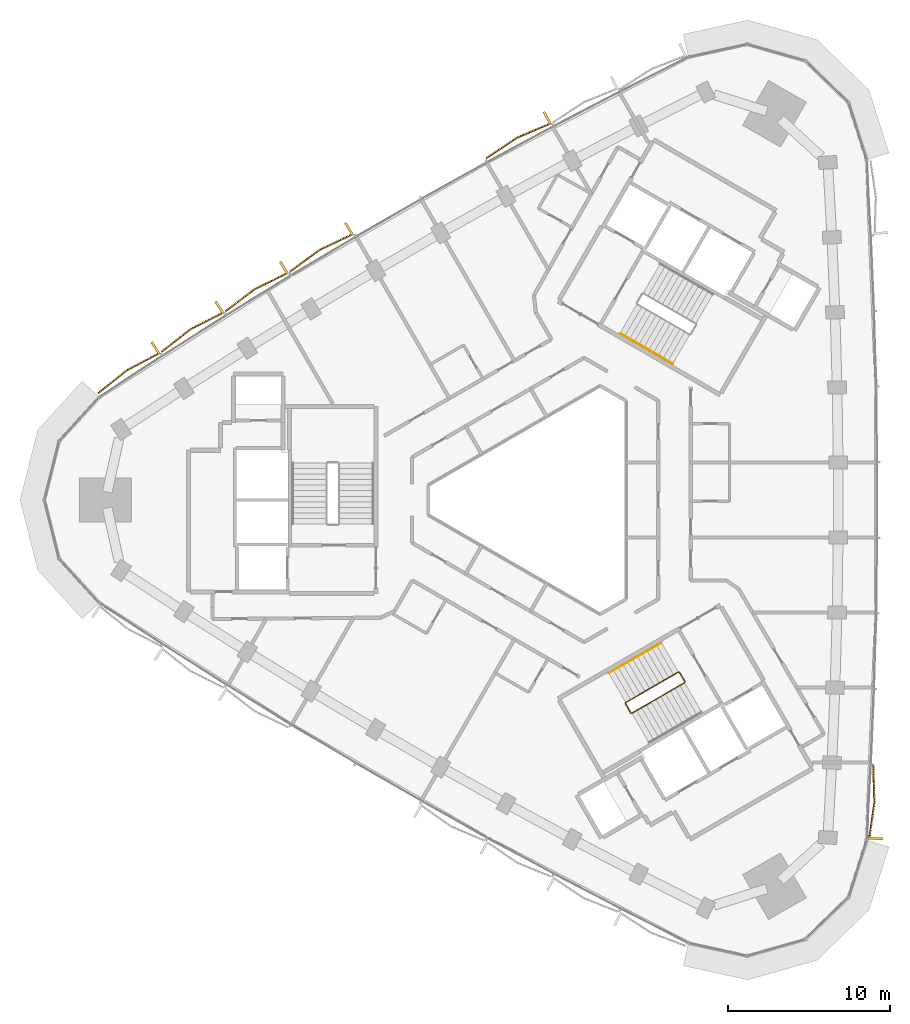
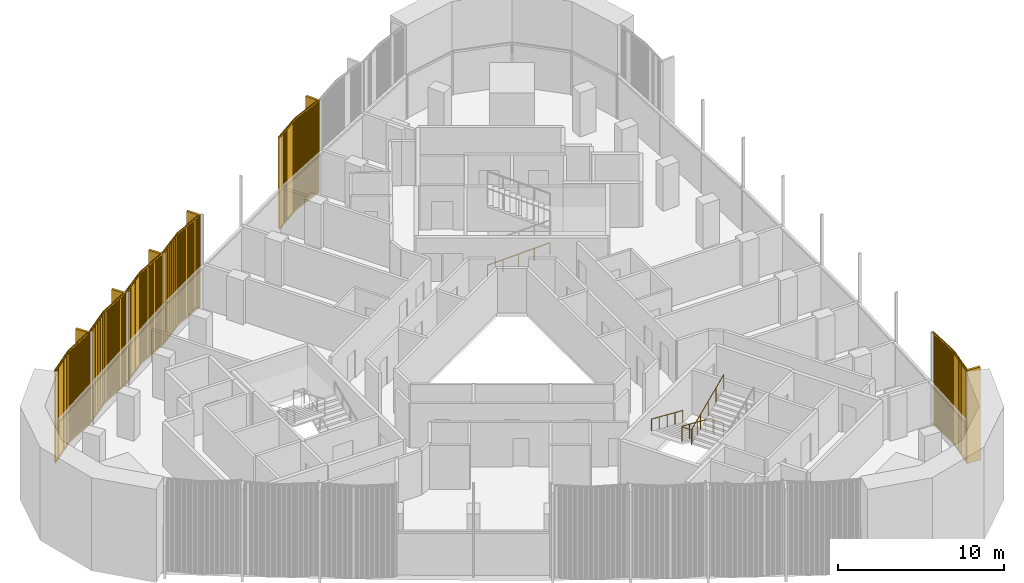
# One storey, part 13 of 14: 6 coverings, 3 railings.
"""IFC4 building model written with IfcOpenShell, lengths in metres."""

from ifc_helpers import new_model, si_unit, direction, frame, frame_2d, origin, origin_2d, place, context, subcontext, project, spatial, rectangle, circle, extrude, source, transform, mapped, material, type_object, element, save


model = new_model("IFC4")

# Units and contexts
model_context = context("Model", 3, precision=1e-05, world=origin(), true_north=direction((0.0, 1.0)))
body_context = subcontext(model_context, "Body", "Model", "MODEL_VIEW")
ifc_project = project(units=[si_unit("LENGTHUNIT", "METRE"), si_unit("AREAUNIT", "SQUARE_METRE"), si_unit("VOLUMEUNIT", "CUBIC_METRE"), si_unit("PLANEANGLEUNIT", "RADIAN"), si_unit("MASSUNIT", "GRAM", prefix="KILO")], contexts=[model_context])

# Site, building, storey
site_placement = place(None, origin())
site = spatial("IfcSite", under=ifc_project, at=site_placement, CompositionType="ELEMENT")
building_placement = place(site_placement, origin())
building = spatial("IfcBuilding", under=site, at=building_placement, Name="Tamra Quay Hotel Tower", CompositionType="ELEMENT")
storey_placement = place(building_placement, frame((0.0, 0.0, 197.199951171875)))
storey = spatial("IfcBuildingStorey", under=building, at=storey_placement, Name="L49", CompositionType="ELEMENT", Elevation=197.199951171875)

# Railings
ifc_material_1 = material(Name="Stair guard 1100")
railing_type_1 = type_object("IfcRailingType", Name="Stair guard 1100", PredefinedType="GUARDRAIL", material=ifc_material_1)
railing_1_placement = place(storey_placement, frame((8.245849609375, -11.221923828125, 0.0)))
element("IfcRailing", 1, at=railing_1_placement, inside=storey, type_object=railing_type_1, Name="GR", PredefinedType="GUARDRAIL", context=body_context, shape_type="SweptSolid", body=[
    extrude(circle(Radius=0.02392578125, at=origin_2d()), frame((0.0, 0.0, 1.076171875), z_axis=(-0.500043078269, 0.866000531106, 0.0), x_axis=(-0.866000531106, -0.500043078269, 0.0)), (0.0, 0.0, 1.0), 0.6591796875),
    extrude(circle(Radius=0.02392578125, at=origin_2d()), frame((-0.32958984375, 0.57080078125, 1.076171875), z_axis=(-0.411831509231, 0.110312011401, 0.90455849349), x_axis=(-0.258736085224, -0.965948051503, 0.0)), (0.0, 0.0, 1.0), 0.166015625),
    extrude(circle(Radius=0.02392578125, at=origin_2d()), frame((-0.39794921875, 0.589111328125, 1.22607421875), z_axis=(-0.793100512587, -0.457912285461, 0.401631567183), x_axis=(0.500012686397, -0.866018079166, 0.0)), (0.0, 0.0, 1.0), 4.10791015625),
    extrude(circle(Radius=0.02392578125, at=origin_2d()), frame((-3.656005859375, -1.2919921875, 2.8759765625), z_axis=(-0.256368644879, -0.966579080015, 0.0), x_axis=(0.966579080015, -0.256368644879, 0.0)), (0.0, 0.0, 1.0), 0.070556640625),
    extrude(circle(Radius=0.02392578125, at=origin_2d()), frame((-3.674072265625, -1.360107421875, 2.8759765625), z_axis=(0.499765215335, -0.866160914346, 0.0), x_axis=(0.866160914346, 0.499765215335, 0.0)), (0.0, 0.0, 1.0), 0.658935546875),
    extrude(circle(Radius=0.02392578125, at=origin_2d()), frame((-3.3447265625, -1.930908203125, 2.8759765625), z_axis=(0.41238007866, -0.110458949641, 0.904290601062), x_axis=(0.258736085224, 0.965948051503, 0.0)), (0.0, 0.0, 1.0), 0.165771484375),
    extrude(circle(Radius=0.02392578125, at=origin_2d()), frame((-3.2763671875, -1.94921875, 3.02587890625), z_axis=(0.793081581205, 0.457901355053, 0.401681409319), x_axis=(-0.500012686397, 0.866018079166, 0.0)), (0.0, 0.0, 1.0), 4.108154296875),
    extrude(circle(Radius=0.02099609375, at=origin_2d()), origin(), (0.0, 0.0, 1.0), 1.052001953125),
    extrude(circle(Radius=0.02099609375, at=origin_2d()), frame((-0.32958984375, 0.57080078125, 0.0)), (0.0, 0.0, 1.0), 1.052001953125),
    extrude(circle(Radius=0.02099609375, at=origin_2d()), frame((-0.39794921875, 0.589111328125, 0.150146484375)), (0.0, 0.0, 1.0), 1.052001953125),
    extrude(circle(Radius=0.02099609375, at=origin_2d()), frame((-1.21240234375, 0.118896484375, 0.5625)), (0.0, 0.0, 1.0), 1.052001953125),
    extrude(circle(Radius=0.02099609375, at=origin_2d()), frame((-2.02685546875, -0.3515625, 0.97509765625)), (0.0, 0.0, 1.0), 1.052001953125),
    extrude(circle(Radius=0.02099609375, at=origin_2d()), frame((-2.841552734375, -0.82177734375, 1.3876953125)), (0.0, 0.0, 1.0), 1.052001953125),
    extrude(circle(Radius=0.02099609375, at=origin_2d()), frame((-3.656005859375, -1.2919921875, 1.800048828125)), (0.0, 0.0, 1.0), 1.052001953125),
    extrude(circle(Radius=0.02099609375, at=origin_2d()), frame((-3.674072265625, -1.360107421875, 1.800048828125)), (0.0, 0.0, 1.0), 1.052001953125),
    extrude(circle(Radius=0.02099609375, at=origin_2d()), frame((-3.3447265625, -1.930908203125, 1.800048828125)), (0.0, 0.0, 1.0), 1.052001953125),
    extrude(circle(Radius=0.02099609375, at=origin_2d()), frame((-3.2763671875, -1.94921875, 1.949951171875)), (0.0, 0.0, 1.0), 1.052001953125),
    extrude(circle(Radius=0.02099609375, at=origin_2d()), frame((-2.4619140625, -1.47900390625, 2.362548828125)), (0.0, 0.0, 1.0), 1.052001953125),
    extrude(circle(Radius=0.02099609375, at=origin_2d()), frame((-1.6474609375, -1.0087890625, 2.77490234375)), (0.0, 0.0, 1.0), 1.052001953125),
    extrude(circle(Radius=0.02099609375, at=origin_2d()), frame((-0.832763671875, -0.538330078125, 3.1875)), (0.0, 0.0, 1.0), 1.052001953125),
    extrude(circle(Radius=0.02099609375, at=origin_2d()), frame((-0.018310546875, -0.068115234375, 3.60009765625)), (0.0, 0.0, 1.0), 1.052001953125),
])
ifc_material_2 = material(Name="Stair handrail 900")
railing_type_2 = type_object("IfcRailingType", Name="Stair handrail 900", PredefinedType="HANDRAIL", material=ifc_material_2)
railing_2_placement = place(storey_placement, frame((4.234375, 10.294189453125, 0.150146484375)))
element("IfcRailing", 2, at=railing_2_placement, inside=storey, type_object=railing_type_2, Name="HR", PredefinedType="HANDRAIL", context=body_context, shape_type="SweptSolid", body=[
    extrude(circle(Radius=0.02392578125, at=origin_2d()), frame((0.0, 0.0, 0.8759765625), z_axis=(0.793122095483, -0.45786531462, 0.401642496911), x_axis=(0.499964013922, 0.86604617936, 0.0)), (0.0, 0.0, 1.0), 4.10791015625),
    extrude(circle(Radius=0.02099609375, at=origin_2d()), origin(), (0.0, 0.0, 1.0), 0.851806640625),
    extrude(circle(Radius=0.02099609375, at=origin_2d()), frame((0.814453125, -0.47021484375, 0.41259765625)), (0.0, 0.0, 1.0), 0.851806640625),
    extrude(circle(Radius=0.02099609375, at=origin_2d()), frame((1.62890625, -0.9404296875, 0.824951171875)), (0.0, 0.0, 1.0), 0.851806640625),
    extrude(circle(Radius=0.02099609375, at=origin_2d()), frame((2.443603515625, -1.41064453125, 1.2373046875)), (0.0, 0.0, 1.0), 0.851806640625),
    extrude(circle(Radius=0.02099609375, at=origin_2d()), frame((3.258056640625, -1.880859375, 1.64990234375)), (0.0, 0.0, 1.0), 0.851806640625),
])
railing_3_placement = place(storey_placement, frame((6.7978515625, -8.814208984375, 0.150146484375)))
element("IfcRailing", 3, at=railing_3_placement, inside=storey, type_object=railing_type_2, Name="HR", PredefinedType="HANDRAIL", context=body_context, shape_type="SweptSolid", body=[
    extrude(circle(Radius=0.02392578125, at=origin_2d()), frame((0.0, 0.0, 0.8759765625), z_axis=(-0.79310004713, -0.457886897714, 0.401661429744), x_axis=(0.499992114976, -0.866029956157, 0.0)), (0.0, 0.0, 1.0), 4.107666015625),
    extrude(circle(Radius=0.02099609375, at=origin_2d()), origin(), (0.0, 0.0, 1.0), 0.851806640625),
    extrude(circle(Radius=0.02099609375, at=origin_2d()), frame((-0.814453125, -0.47021484375, 0.41259765625)), (0.0, 0.0, 1.0), 0.851806640625),
    extrude(circle(Radius=0.02099609375, at=origin_2d()), frame((-1.62890625, -0.9404296875, 0.824951171875)), (0.0, 0.0, 1.0), 0.851806640625),
    extrude(circle(Radius=0.02099609375, at=origin_2d()), frame((-2.443359375, -1.41064453125, 1.2373046875)), (0.0, 0.0, 1.0), 0.851806640625),
    extrude(circle(Radius=0.02099609375, at=origin_2d()), frame((-3.2578125, -1.880859375, 1.64990234375)), (0.0, 0.0, 1.0), 0.851806640625),
])

# Coverings
ifc_material_3 = material(Name="Terracotta baguette extruded", Category="masonry")
covering_type_1 = type_object("IfcCoveringType", Name="BAGUETTE SCREEN E-V H6850", PredefinedType="USERDEFINED", material=ifc_material_3)
shared_shape_1 = source(origin(), body_context, "Body", "SweptSolid", [
    extrude(rectangle(XDim=2.30126953125, YDim=0.06005859375, at=frame_2d((1.150634765625, 0.030029296875))), frame((-2.2978515625, -0.057861328125, -0.1201171875), z_axis=(0.0, 0.0, 1.0), x_axis=(0.996194698092, -0.087155742748, 0.0)), (0.0, 0.0, 1.0), 0.1201171875),
    extrude(rectangle(XDim=2.30126953125, YDim=0.06005859375, at=frame_2d((1.150634765625, 0.030029296875))), frame((-2.2978515625, -0.057861328125, -6.85009765625), z_axis=(0.0, 0.0, 1.0), x_axis=(0.996194698092, -0.087155742748, 0.0)), (0.0, 0.0, 1.0), 0.1201171875),
    extrude(rectangle(XDim=0.070068359375, YDim=0.10009765625, at=frame_2d((0.03515625, 0.050048828125))), frame((-2.277587890625, -0.13232421875, -6.7900390625)), (0.0, 0.0, 1.0), 6.72998046875),
    extrude(rectangle(XDim=0.070068359375, YDim=0.10009765625, at=frame_2d((0.03515625, 0.050048828125))), frame((-2.177978515625, -0.14111328125, -6.7900390625)), (0.0, 0.0, 1.0), 6.72998046875),
    extrude(rectangle(XDim=0.070068359375, YDim=0.10009765625, at=frame_2d((0.03515625, 0.050048828125))), frame((-2.078369140625, -0.14990234375, -6.7900390625)), (0.0, 0.0, 1.0), 6.72998046875),
    extrude(rectangle(XDim=0.070068359375, YDim=0.10009765625, at=frame_2d((0.03515625, 0.050048828125))), frame((-1.978759765625, -0.158447265625, -6.7900390625)), (0.0, 0.0, 1.0), 6.72998046875),
    extrude(rectangle(XDim=0.070068359375, YDim=0.10009765625, at=frame_2d((0.03515625, 0.050048828125))), frame((-1.87890625, -0.167236328125, -6.7900390625)), (0.0, 0.0, 1.0), 6.72998046875),
    extrude(rectangle(XDim=0.070068359375, YDim=0.10009765625, at=frame_2d((0.03515625, 0.050048828125))), frame((-1.779296875, -0.176025390625, -6.7900390625)), (0.0, 0.0, 1.0), 6.72998046875),
    extrude(rectangle(XDim=0.070068359375, YDim=0.10009765625, at=frame_2d((0.03515625, 0.050048828125))), frame((-1.6796875, -0.1845703125, -6.7900390625)), (0.0, 0.0, 1.0), 6.72998046875),
    extrude(rectangle(XDim=0.070068359375, YDim=0.10009765625, at=frame_2d((0.03515625, 0.050048828125))), frame((-1.579833984375, -0.193359375, -6.7900390625)), (0.0, 0.0, 1.0), 6.72998046875),
    extrude(rectangle(XDim=0.070068359375, YDim=0.10009765625, at=frame_2d((0.03515625, 0.050048828125))), frame((-1.480224609375, -0.2021484375, -6.7900390625)), (0.0, 0.0, 1.0), 6.72998046875),
    extrude(rectangle(XDim=0.070068359375, YDim=0.10009765625, at=frame_2d((0.03515625, 0.050048828125))), frame((-1.380615234375, -0.2109375, -6.7900390625)), (0.0, 0.0, 1.0), 6.72998046875),
    extrude(rectangle(XDim=0.070068359375, YDim=0.10009765625, at=frame_2d((0.03515625, 0.050048828125))), frame((-1.281005859375, -0.219482421875, -6.7900390625)), (0.0, 0.0, 1.0), 6.72998046875),
    extrude(rectangle(XDim=0.070068359375, YDim=0.10009765625, at=frame_2d((0.03515625, 0.050048828125))), frame((-1.18115234375, -0.228271484375, -6.7900390625)), (0.0, 0.0, 1.0), 6.72998046875),
    extrude(rectangle(XDim=0.070068359375, YDim=0.10009765625, at=frame_2d((0.03515625, 0.050048828125))), frame((-1.08154296875, -0.237060546875, -6.7900390625)), (0.0, 0.0, 1.0), 6.72998046875),
    extrude(rectangle(XDim=0.070068359375, YDim=0.10009765625, at=frame_2d((0.03515625, 0.050048828125))), frame((-0.98193359375, -0.24560546875, -6.7900390625)), (0.0, 0.0, 1.0), 6.72998046875),
    extrude(rectangle(XDim=0.070068359375, YDim=0.10009765625, at=frame_2d((0.03515625, 0.050048828125))), frame((-0.88232421875, -0.25439453125, -6.7900390625)), (0.0, 0.0, 1.0), 6.72998046875),
    extrude(rectangle(XDim=0.070068359375, YDim=0.10009765625, at=frame_2d((0.03515625, 0.050048828125))), frame((-0.782470703125, -0.26318359375, -6.7900390625)), (0.0, 0.0, 1.0), 6.72998046875),
    extrude(rectangle(XDim=0.070068359375, YDim=0.10009765625, at=frame_2d((0.03515625, 0.050048828125))), frame((-0.682861328125, -0.27197265625, -6.7900390625)), (0.0, 0.0, 1.0), 6.72998046875),
    extrude(rectangle(XDim=0.070068359375, YDim=0.10009765625, at=frame_2d((0.03515625, 0.050048828125))), frame((-0.583251953125, -0.280517578125, -6.7900390625)), (0.0, 0.0, 1.0), 6.72998046875),
    extrude(rectangle(XDim=0.070068359375, YDim=0.10009765625, at=frame_2d((0.03515625, 0.050048828125))), frame((-0.483642578125, -0.289306640625, -6.7900390625)), (0.0, 0.0, 1.0), 6.72998046875),
    extrude(rectangle(XDim=0.070068359375, YDim=0.10009765625, at=frame_2d((0.03515625, 0.050048828125))), frame((-0.3837890625, -0.298095703125, -6.7900390625)), (0.0, 0.0, 1.0), 6.72998046875),
    extrude(rectangle(XDim=0.070068359375, YDim=0.10009765625, at=frame_2d((0.03515625, 0.050048828125))), frame((-0.2841796875, -0.306884765625, -6.7900390625)), (0.0, 0.0, 1.0), 6.72998046875),
    extrude(rectangle(XDim=0.070068359375, YDim=0.10009765625, at=frame_2d((0.03515625, 0.050048828125))), frame((-0.1845703125, -0.3154296875, -6.7900390625)), (0.0, 0.0, 1.0), 6.72998046875),
    extrude(rectangle(XDim=0.070068359375, YDim=0.10009765625, at=frame_2d((0.03515625, 0.050048828125))), frame((-0.0849609375, -0.32421875, -6.7900390625)), (0.0, 0.0, 1.0), 6.72998046875),
    extrude(rectangle(XDim=2.30126953125, YDim=0.06005859375, at=frame_2d((1.150634765625, 0.030029296875))), frame((0.005126953125, -0.25830078125, -0.1201171875), z_axis=(0.0, 0.0, 1.0), x_axis=(0.996194698092, 0.087155742748, 0.0)), (0.0, 0.0, 1.0), 0.1201171875),
    extrude(rectangle(XDim=2.30126953125, YDim=0.06005859375, at=frame_2d((1.150634765625, 0.030029296875))), frame((0.005126953125, -0.25830078125, -6.85009765625), z_axis=(0.0, 0.0, 1.0), x_axis=(0.996194698092, 0.087155742748, 0.0)), (0.0, 0.0, 1.0), 0.1201171875),
    extrude(rectangle(XDim=0.070068359375, YDim=0.10009765625, at=frame_2d((0.03515625, 0.050048828125))), frame((0.014892578125, -0.32421875, -6.7900390625)), (0.0, 0.0, 1.0), 6.72998046875),
    extrude(rectangle(XDim=0.070068359375, YDim=0.10009765625, at=frame_2d((0.03515625, 0.050048828125))), frame((0.114501953125, -0.3154296875, -6.7900390625)), (0.0, 0.0, 1.0), 6.72998046875),
    extrude(rectangle(XDim=0.070068359375, YDim=0.10009765625, at=frame_2d((0.03515625, 0.050048828125))), frame((0.214111328125, -0.306884765625, -6.7900390625)), (0.0, 0.0, 1.0), 6.72998046875),
    extrude(rectangle(XDim=0.070068359375, YDim=0.10009765625, at=frame_2d((0.03515625, 0.050048828125))), frame((0.31396484375, -0.298095703125, -6.7900390625)), (0.0, 0.0, 1.0), 6.72998046875),
    extrude(rectangle(XDim=0.070068359375, YDim=0.10009765625, at=frame_2d((0.03515625, 0.050048828125))), frame((0.41357421875, -0.289306640625, -6.7900390625)), (0.0, 0.0, 1.0), 6.72998046875),
    extrude(rectangle(XDim=0.070068359375, YDim=0.10009765625, at=frame_2d((0.03515625, 0.050048828125))), frame((0.51318359375, -0.280517578125, -6.7900390625)), (0.0, 0.0, 1.0), 6.72998046875),
    extrude(rectangle(XDim=0.070068359375, YDim=0.10009765625, at=frame_2d((0.03515625, 0.050048828125))), frame((0.61279296875, -0.27197265625, -6.7900390625)), (0.0, 0.0, 1.0), 6.72998046875),
    extrude(rectangle(XDim=0.070068359375, YDim=0.10009765625, at=frame_2d((0.03515625, 0.050048828125))), frame((0.712646484375, -0.26318359375, -6.7900390625)), (0.0, 0.0, 1.0), 6.72998046875),
    extrude(rectangle(XDim=0.070068359375, YDim=0.10009765625, at=frame_2d((0.03515625, 0.050048828125))), frame((0.812255859375, -0.25439453125, -6.7900390625)), (0.0, 0.0, 1.0), 6.72998046875),
    extrude(rectangle(XDim=0.070068359375, YDim=0.10009765625, at=frame_2d((0.03515625, 0.050048828125))), frame((0.911865234375, -0.24560546875, -6.7900390625)), (0.0, 0.0, 1.0), 6.72998046875),
    extrude(rectangle(XDim=0.070068359375, YDim=0.10009765625, at=frame_2d((0.03515625, 0.050048828125))), frame((1.011474609375, -0.237060546875, -6.7900390625)), (0.0, 0.0, 1.0), 6.72998046875),
    extrude(rectangle(XDim=0.070068359375, YDim=0.10009765625, at=frame_2d((0.03515625, 0.050048828125))), frame((1.111328125, -0.228271484375, -6.7900390625)), (0.0, 0.0, 1.0), 6.72998046875),
    extrude(rectangle(XDim=0.070068359375, YDim=0.10009765625, at=frame_2d((0.03515625, 0.050048828125))), frame((1.2109375, -0.219482421875, -6.7900390625)), (0.0, 0.0, 1.0), 6.72998046875),
    extrude(rectangle(XDim=0.070068359375, YDim=0.10009765625, at=frame_2d((0.03515625, 0.050048828125))), frame((1.310546875, -0.2109375, -6.7900390625)), (0.0, 0.0, 1.0), 6.72998046875),
    extrude(rectangle(XDim=0.070068359375, YDim=0.10009765625, at=frame_2d((0.03515625, 0.050048828125))), frame((1.41015625, -0.2021484375, -6.7900390625)), (0.0, 0.0, 1.0), 6.72998046875),
    extrude(rectangle(XDim=0.070068359375, YDim=0.10009765625, at=frame_2d((0.03515625, 0.050048828125))), frame((1.510009765625, -0.193359375, -6.7900390625)), (0.0, 0.0, 1.0), 6.72998046875),
    extrude(rectangle(XDim=0.070068359375, YDim=0.10009765625, at=frame_2d((0.03515625, 0.050048828125))), frame((1.609619140625, -0.1845703125, -6.7900390625)), (0.0, 0.0, 1.0), 6.72998046875),
    extrude(rectangle(XDim=0.070068359375, YDim=0.10009765625, at=frame_2d((0.03515625, 0.050048828125))), frame((1.709228515625, -0.176025390625, -6.7900390625)), (0.0, 0.0, 1.0), 6.72998046875),
    extrude(rectangle(XDim=0.070068359375, YDim=0.10009765625, at=frame_2d((0.03515625, 0.050048828125))), frame((1.80908203125, -0.167236328125, -6.7900390625)), (0.0, 0.0, 1.0), 6.72998046875),
    extrude(rectangle(XDim=0.070068359375, YDim=0.10009765625, at=frame_2d((0.03515625, 0.050048828125))), frame((1.90869140625, -0.158447265625, -6.7900390625)), (0.0, 0.0, 1.0), 6.72998046875),
    extrude(rectangle(XDim=0.070068359375, YDim=0.10009765625, at=frame_2d((0.03515625, 0.050048828125))), frame((2.00830078125, -0.14990234375, -6.7900390625)), (0.0, 0.0, 1.0), 6.72998046875),
    extrude(rectangle(XDim=0.070068359375, YDim=0.10009765625, at=frame_2d((0.03515625, 0.050048828125))), frame((2.10791015625, -0.14111328125, -6.7900390625)), (0.0, 0.0, 1.0), 6.72998046875),
    extrude(rectangle(XDim=0.070068359375, YDim=0.10009765625, at=frame_2d((0.03515625, 0.050048828125))), frame((2.207763671875, -0.13232421875, -6.7900390625)), (0.0, 0.0, 1.0), 6.72998046875),
    extrude(rectangle(XDim=0.14990234375, YDim=0.902099609375, at=frame_2d((0.074951171875, 0.451171875))), frame((-2.29248046875, -0.89990234375, -6.85009765625)), (0.0, 0.0, 1.0), 6.85009765625),
])
covering_placement = place(storey_placement, frame((19.69287109375, -18.678466796875, 6.85009765625), z_axis=(0.0, 0.0, 1.0), x_axis=(0.055416308058, 0.998463335732, 0.0)))
element("IfcCovering", 4, at=covering_placement, inside=storey, type_object=covering_type_1, Name="Baguette screen L49.E.f00", ObjectType="BAGUETTE SCREEN", PredefinedType="USERDEFINED", context=body_context, shape_type="MappedRepresentation", body=[
    mapped(shared_shape_1, transform((0.0, 0.0, 0.0), scale=1.0)),
])
covering_type_2 = type_object("IfcCoveringType", Name="BAGUETTE SCREEN NW-V H6850", PredefinedType="USERDEFINED", material=ifc_material_3)
shared_shape_2 = source(origin(), body_context, "Body", "SweptSolid", [
    extrude(rectangle(XDim=2.302978515625, YDim=0.06005859375, at=frame_2d((1.1513671875, 0.030029296875))), frame((-2.29833984375, -0.0576171875, -0.1201171875), z_axis=(0.0, 0.0, 1.0), x_axis=(0.995396198367, -0.09584575252, 0.0)), (0.0, 0.0, 1.0), 0.1201171875),
    extrude(rectangle(XDim=2.302978515625, YDim=0.06005859375, at=frame_2d((1.1513671875, 0.030029296875))), frame((-2.29833984375, -0.0576171875, -6.85009765625), z_axis=(0.0, 0.0, 1.0), x_axis=(0.995396198367, -0.09584575252, 0.0)), (0.0, 0.0, 1.0), 0.1201171875),
    extrude(rectangle(XDim=0.070068359375, YDim=0.10009765625, at=frame_2d((0.03515625, 0.050048828125))), frame((-2.277587890625, -0.1328125, -6.7900390625)), (0.0, 0.0, 1.0), 6.72998046875),
    extrude(rectangle(XDim=0.070068359375, YDim=0.10009765625, at=frame_2d((0.03515625, 0.050048828125))), frame((-2.177978515625, -0.142333984375, -6.7900390625)), (0.0, 0.0, 1.0), 6.72998046875),
    extrude(rectangle(XDim=0.070068359375, YDim=0.10009765625, at=frame_2d((0.03515625, 0.050048828125))), frame((-2.078369140625, -0.152099609375, -6.7900390625)), (0.0, 0.0, 1.0), 6.72998046875),
    extrude(rectangle(XDim=0.070068359375, YDim=0.10009765625, at=frame_2d((0.03515625, 0.050048828125))), frame((-1.978759765625, -0.16162109375, -6.7900390625)), (0.0, 0.0, 1.0), 6.72998046875),
    extrude(rectangle(XDim=0.070068359375, YDim=0.10009765625, at=frame_2d((0.03515625, 0.050048828125))), frame((-1.87890625, -0.171142578125, -6.7900390625)), (0.0, 0.0, 1.0), 6.72998046875),
    extrude(rectangle(XDim=0.070068359375, YDim=0.10009765625, at=frame_2d((0.03515625, 0.050048828125))), frame((-1.779296875, -0.180908203125, -6.7900390625)), (0.0, 0.0, 1.0), 6.72998046875),
    extrude(rectangle(XDim=0.070068359375, YDim=0.10009765625, at=frame_2d((0.03515625, 0.050048828125))), frame((-1.6796875, -0.1904296875, -6.7900390625)), (0.0, 0.0, 1.0), 6.72998046875),
    extrude(rectangle(XDim=0.070068359375, YDim=0.10009765625, at=frame_2d((0.03515625, 0.050048828125))), frame((-1.579833984375, -0.199951171875, -6.7900390625)), (0.0, 0.0, 1.0), 6.72998046875),
    extrude(rectangle(XDim=0.070068359375, YDim=0.10009765625, at=frame_2d((0.03515625, 0.050048828125))), frame((-1.480224609375, -0.20947265625, -6.7900390625)), (0.0, 0.0, 1.0), 6.72998046875),
    extrude(rectangle(XDim=0.070068359375, YDim=0.10009765625, at=frame_2d((0.03515625, 0.050048828125))), frame((-1.380615234375, -0.21923828125, -6.7900390625)), (0.0, 0.0, 1.0), 6.72998046875),
    extrude(rectangle(XDim=0.070068359375, YDim=0.10009765625, at=frame_2d((0.03515625, 0.050048828125))), frame((-1.281005859375, -0.228759765625, -6.7900390625)), (0.0, 0.0, 1.0), 6.72998046875),
    extrude(rectangle(XDim=0.070068359375, YDim=0.10009765625, at=frame_2d((0.03515625, 0.050048828125))), frame((-1.18115234375, -0.23828125, -6.7900390625)), (0.0, 0.0, 1.0), 6.72998046875),
    extrude(rectangle(XDim=0.070068359375, YDim=0.10009765625, at=frame_2d((0.03515625, 0.050048828125))), frame((-1.08154296875, -0.248046875, -6.7900390625)), (0.0, 0.0, 1.0), 6.72998046875),
    extrude(rectangle(XDim=0.070068359375, YDim=0.10009765625, at=frame_2d((0.03515625, 0.050048828125))), frame((-0.98193359375, -0.257568359375, -6.7900390625)), (0.0, 0.0, 1.0), 6.72998046875),
    extrude(rectangle(XDim=0.070068359375, YDim=0.10009765625, at=frame_2d((0.03515625, 0.050048828125))), frame((-0.88232421875, -0.26708984375, -6.7900390625)), (0.0, 0.0, 1.0), 6.72998046875),
    extrude(rectangle(XDim=0.070068359375, YDim=0.10009765625, at=frame_2d((0.03515625, 0.050048828125))), frame((-0.782470703125, -0.27685546875, -6.7900390625)), (0.0, 0.0, 1.0), 6.72998046875),
    extrude(rectangle(XDim=0.070068359375, YDim=0.10009765625, at=frame_2d((0.03515625, 0.050048828125))), frame((-0.682861328125, -0.286376953125, -6.7900390625)), (0.0, 0.0, 1.0), 6.72998046875),
    extrude(rectangle(XDim=0.070068359375, YDim=0.10009765625, at=frame_2d((0.03515625, 0.050048828125))), frame((-0.583251953125, -0.2958984375, -6.7900390625)), (0.0, 0.0, 1.0), 6.72998046875),
    extrude(rectangle(XDim=0.070068359375, YDim=0.10009765625, at=frame_2d((0.03515625, 0.050048828125))), frame((-0.483642578125, -0.3056640625, -6.7900390625)), (0.0, 0.0, 1.0), 6.72998046875),
    extrude(rectangle(XDim=0.070068359375, YDim=0.10009765625, at=frame_2d((0.03515625, 0.050048828125))), frame((-0.3837890625, -0.315185546875, -6.7900390625)), (0.0, 0.0, 1.0), 6.72998046875),
    extrude(rectangle(XDim=0.070068359375, YDim=0.10009765625, at=frame_2d((0.03515625, 0.050048828125))), frame((-0.2841796875, -0.32470703125, -6.7900390625)), (0.0, 0.0, 1.0), 6.72998046875),
    extrude(rectangle(XDim=0.070068359375, YDim=0.10009765625, at=frame_2d((0.03515625, 0.050048828125))), frame((-0.1845703125, -0.334228515625, -6.7900390625)), (0.0, 0.0, 1.0), 6.72998046875),
    extrude(rectangle(XDim=0.070068359375, YDim=0.10009765625, at=frame_2d((0.03515625, 0.050048828125))), frame((-0.0849609375, -0.343994140625, -6.7900390625)), (0.0, 0.0, 1.0), 6.72998046875),
    extrude(rectangle(XDim=2.302978515625, YDim=0.06005859375, at=frame_2d((1.1513671875, 0.030029296875))), frame((0.005859375, -0.278564453125, -0.1201171875), z_axis=(0.0, 0.0, 1.0), x_axis=(0.995396198367, 0.09584575252, 0.0)), (0.0, 0.0, 1.0), 0.1201171875),
    extrude(rectangle(XDim=2.302978515625, YDim=0.06005859375, at=frame_2d((1.1513671875, 0.030029296875))), frame((0.005859375, -0.278564453125, -6.85009765625), z_axis=(0.0, 0.0, 1.0), x_axis=(0.995396198367, 0.09584575252, 0.0)), (0.0, 0.0, 1.0), 0.1201171875),
    extrude(rectangle(XDim=0.070068359375, YDim=0.10009765625, at=frame_2d((0.03515625, 0.050048828125))), frame((0.014892578125, -0.343994140625, -6.7900390625)), (0.0, 0.0, 1.0), 6.72998046875),
    extrude(rectangle(XDim=0.070068359375, YDim=0.10009765625, at=frame_2d((0.03515625, 0.050048828125))), frame((0.114501953125, -0.334228515625, -6.7900390625)), (0.0, 0.0, 1.0), 6.72998046875),
    extrude(rectangle(XDim=0.070068359375, YDim=0.10009765625, at=frame_2d((0.03515625, 0.050048828125))), frame((0.214111328125, -0.32470703125, -6.7900390625)), (0.0, 0.0, 1.0), 6.72998046875),
    extrude(rectangle(XDim=0.070068359375, YDim=0.10009765625, at=frame_2d((0.03515625, 0.050048828125))), frame((0.31396484375, -0.315185546875, -6.7900390625)), (0.0, 0.0, 1.0), 6.72998046875),
    extrude(rectangle(XDim=0.070068359375, YDim=0.10009765625, at=frame_2d((0.03515625, 0.050048828125))), frame((0.41357421875, -0.3056640625, -6.7900390625)), (0.0, 0.0, 1.0), 6.72998046875),
    extrude(rectangle(XDim=0.070068359375, YDim=0.10009765625, at=frame_2d((0.03515625, 0.050048828125))), frame((0.51318359375, -0.2958984375, -6.7900390625)), (0.0, 0.0, 1.0), 6.72998046875),
    extrude(rectangle(XDim=0.070068359375, YDim=0.10009765625, at=frame_2d((0.03515625, 0.050048828125))), frame((0.61279296875, -0.286376953125, -6.7900390625)), (0.0, 0.0, 1.0), 6.72998046875),
    extrude(rectangle(XDim=0.070068359375, YDim=0.10009765625, at=frame_2d((0.03515625, 0.050048828125))), frame((0.712646484375, -0.27685546875, -6.7900390625)), (0.0, 0.0, 1.0), 6.72998046875),
    extrude(rectangle(XDim=0.070068359375, YDim=0.10009765625, at=frame_2d((0.03515625, 0.050048828125))), frame((0.812255859375, -0.26708984375, -6.7900390625)), (0.0, 0.0, 1.0), 6.72998046875),
    extrude(rectangle(XDim=0.070068359375, YDim=0.10009765625, at=frame_2d((0.03515625, 0.050048828125))), frame((0.911865234375, -0.257568359375, -6.7900390625)), (0.0, 0.0, 1.0), 6.72998046875),
    extrude(rectangle(XDim=0.070068359375, YDim=0.10009765625, at=frame_2d((0.03515625, 0.050048828125))), frame((1.011474609375, -0.248046875, -6.7900390625)), (0.0, 0.0, 1.0), 6.72998046875),
    extrude(rectangle(XDim=0.070068359375, YDim=0.10009765625, at=frame_2d((0.03515625, 0.050048828125))), frame((1.111328125, -0.23828125, -6.7900390625)), (0.0, 0.0, 1.0), 6.72998046875),
    extrude(rectangle(XDim=0.070068359375, YDim=0.10009765625, at=frame_2d((0.03515625, 0.050048828125))), frame((1.2109375, -0.228759765625, -6.7900390625)), (0.0, 0.0, 1.0), 6.72998046875),
    extrude(rectangle(XDim=0.070068359375, YDim=0.10009765625, at=frame_2d((0.03515625, 0.050048828125))), frame((1.310546875, -0.21923828125, -6.7900390625)), (0.0, 0.0, 1.0), 6.72998046875),
    extrude(rectangle(XDim=0.070068359375, YDim=0.10009765625, at=frame_2d((0.03515625, 0.050048828125))), frame((1.41015625, -0.20947265625, -6.7900390625)), (0.0, 0.0, 1.0), 6.72998046875),
    extrude(rectangle(XDim=0.070068359375, YDim=0.10009765625, at=frame_2d((0.03515625, 0.050048828125))), frame((1.510009765625, -0.199951171875, -6.7900390625)), (0.0, 0.0, 1.0), 6.72998046875),
    extrude(rectangle(XDim=0.070068359375, YDim=0.10009765625, at=frame_2d((0.03515625, 0.050048828125))), frame((1.609619140625, -0.1904296875, -6.7900390625)), (0.0, 0.0, 1.0), 6.72998046875),
    extrude(rectangle(XDim=0.070068359375, YDim=0.10009765625, at=frame_2d((0.03515625, 0.050048828125))), frame((1.709228515625, -0.180908203125, -6.7900390625)), (0.0, 0.0, 1.0), 6.72998046875),
    extrude(rectangle(XDim=0.070068359375, YDim=0.10009765625, at=frame_2d((0.03515625, 0.050048828125))), frame((1.80908203125, -0.171142578125, -6.7900390625)), (0.0, 0.0, 1.0), 6.72998046875),
    extrude(rectangle(XDim=0.070068359375, YDim=0.10009765625, at=frame_2d((0.03515625, 0.050048828125))), frame((1.90869140625, -0.16162109375, -6.7900390625)), (0.0, 0.0, 1.0), 6.72998046875),
    extrude(rectangle(XDim=0.070068359375, YDim=0.10009765625, at=frame_2d((0.03515625, 0.050048828125))), frame((2.00830078125, -0.152099609375, -6.7900390625)), (0.0, 0.0, 1.0), 6.72998046875),
    extrude(rectangle(XDim=0.070068359375, YDim=0.10009765625, at=frame_2d((0.03515625, 0.050048828125))), frame((2.10791015625, -0.142333984375, -6.7900390625)), (0.0, 0.0, 1.0), 6.72998046875),
    extrude(rectangle(XDim=0.070068359375, YDim=0.10009765625, at=frame_2d((0.03515625, 0.050048828125))), frame((2.207763671875, -0.1328125, -6.7900390625)), (0.0, 0.0, 1.0), 6.72998046875),
    extrude(rectangle(XDim=0.14990234375, YDim=0.902099609375, at=frame_2d((0.074951171875, 0.451171875))), frame((-2.29248046875, -0.89990234375, -6.85009765625)), (0.0, 0.0, 1.0), 6.85009765625),
])
for number, where, z_axis, x_axis, name in (
    (5, (-1.9921875, 22.141845703125, 6.85009765625), (0.0, 0.0, 1.0), (-0.879568600166, -0.475772085773, 0.0), "Baguette screen L49.NW.f02"),
    (6, (-14.181884765625, 15.216552734375, 6.85009765625), (0.0, 0.0, 1.0), (-0.85899866837, -0.511977819577, 0.0), "Baguette screen L49.NW.f05"),
    (7, (-18.17919921875, 12.796142578125, 6.85009765625), (0.0, 0.0, 1.0), (-0.851815012775, -0.523842709229, 0.0), "Baguette screen L49.NW.f06"),
    (8, (-22.142822265625, 10.32080078125, 6.85009765625), (0.0, 0.0, 1.0), (-0.844476178502, -0.535593114167, 0.0), "Baguette screen L49.NW.f07"),
    (9, (-26.07177734375, 7.79052734375, 6.85009765625), (0.0, 0.0, 1.0), (-0.836986459463, -0.547223598428, 0.0), "Baguette screen L49.NW.f08"),
):
    element("IfcCovering", number, at=place(storey_placement, frame(where, z_axis=z_axis, x_axis=x_axis)), inside=storey, type_object=covering_type_2, Name=name, ObjectType="BAGUETTE SCREEN", PredefinedType="USERDEFINED", context=body_context, shape_type="MappedRepresentation", body=[
        mapped(shared_shape_2, transform((0.0, 0.0, 0.0), scale=1.0)),
    ])

save(model, "model.ifc")
